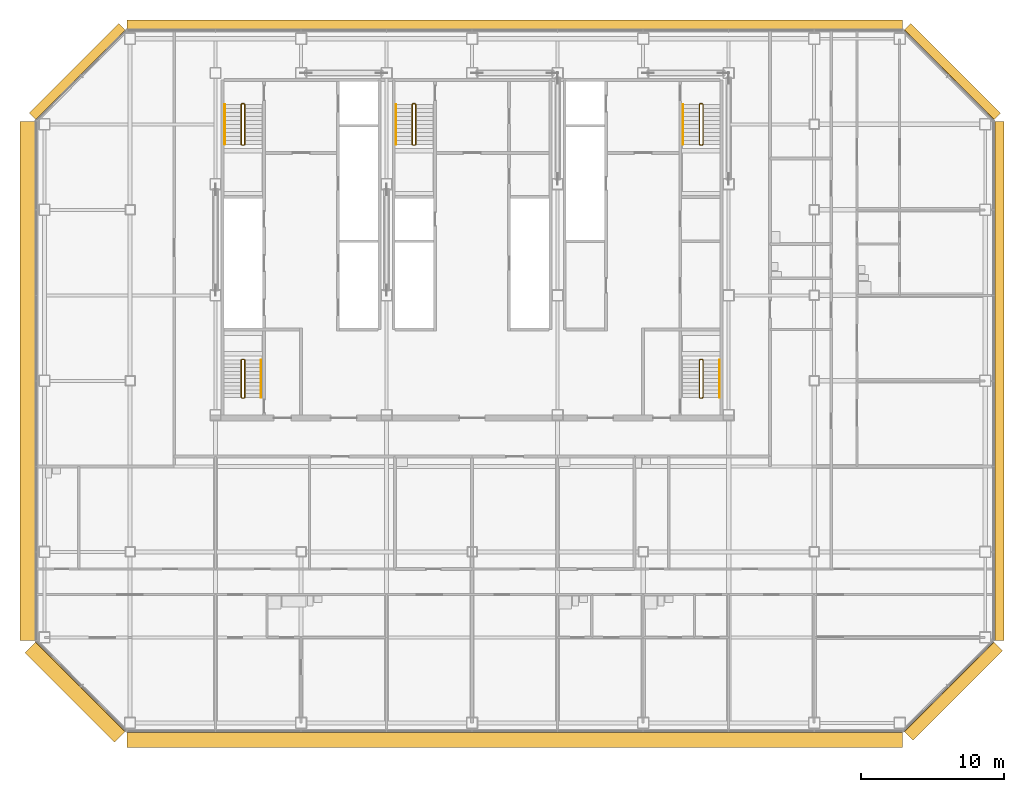
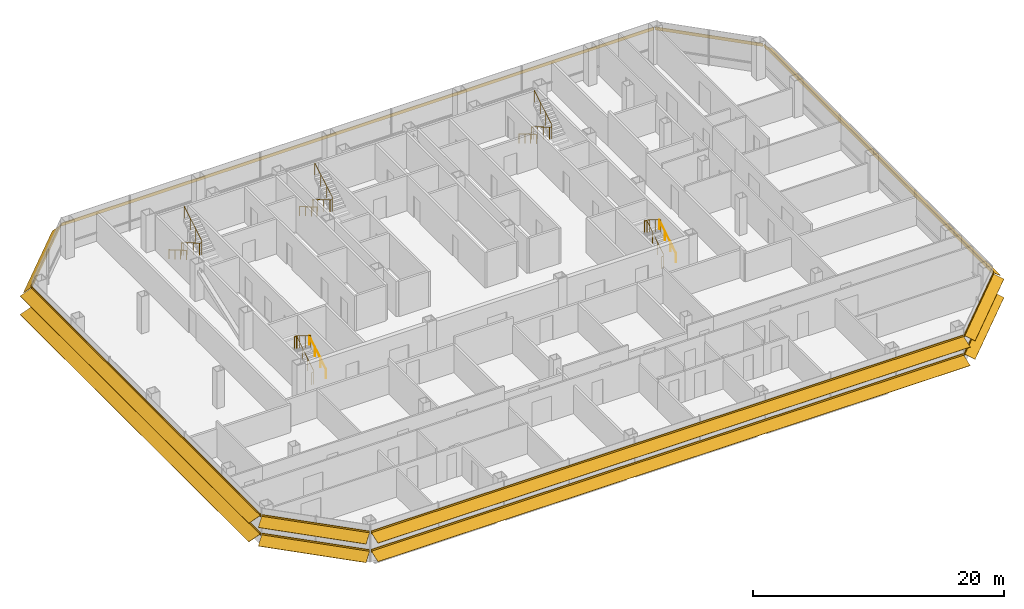
# One storey, part 24 of 25: 10 railings, 8 shading devices.
"""IFC4 building model written with IfcOpenShell, lengths in metres."""

from ifc_helpers import new_model, si_unit, direction, frame, origin, origin_2d, place, context, subcontext, project, spatial, polyline, circle, outline, composite_profile, extrude, material, type_object, element, save


model = new_model("IFC4")

# Units and contexts
model_context = context("Model", 3, precision=1e-05, world=origin(), true_north=direction((0.0, 1.0)))
body_context = subcontext(model_context, "Body", "Model", "MODEL_VIEW")
ifc_project = project(units=[si_unit("LENGTHUNIT", "METRE"), si_unit("AREAUNIT", "SQUARE_METRE"), si_unit("VOLUMEUNIT", "CUBIC_METRE"), si_unit("PLANEANGLEUNIT", "RADIAN"), si_unit("MASSUNIT", "GRAM", prefix="KILO")], contexts=[model_context])

# Site, building, storey
site_placement = place(None, origin())
site = spatial("IfcSite", under=ifc_project, at=site_placement, CompositionType="ELEMENT")
building_placement = place(site_placement, origin())
building = spatial("IfcBuilding", under=site, at=building_placement, Name="Sorahane Residences", CompositionType="ELEMENT")
storey_placement = place(building_placement, frame((0.0, 0.0, 119.60009765625)))
storey = spatial("IfcBuildingStorey", under=building, at=storey_placement, Name="L26", CompositionType="ELEMENT", Elevation=119.60009765625)

# Shading devices
ifc_material_1 = material(Name="Terracotta anodised aluminium", Category="masonry")
shading_device_type_1 = type_object("IfcShadingDeviceType", Name="Louvre sunshade blade E terracotta aluminium 700", PredefinedType="JALOUSIE", material=ifc_material_1)
shading_device_1_placement = place(storey_placement, frame((60.60009765625, 5.801513671875, 2.699951171875), z_axis=(0.0, 1.0, 0.0), x_axis=(-1.0, 0.0, 0.0)))
element("IfcShadingDevice", 1, at=shading_device_1_placement, inside=storey, type_object=shading_device_type_1, Name="Louvre sunshade blade bank E L26 E1", PredefinedType="JALOUSIE", context=body_context, shape_type="SweptSolid", body=[
    extrude(outline(polyline([(-0.719970703125, -0.49365234375), (-0.719970703125, -0.523681640625), (-0.080078125, -0.05859375), (-0.080078125, -0.14990234375), (-0.02001953125, -0.14990234375), (-0.02001953125, -0.014892578125), (-0.02001953125, 0.014892578125), (-0.02001953125, 0.14990234375), (-0.080078125, 0.14990234375), (-0.080078125, -0.028564453125), (-0.719970703125, -0.49365234375)])), origin(), (0.0, 0.0, 1.0), 36.39697265625),
])
ifc_material_2 = material(Name="Terracotta anodised aluminium", Category="masonry")
shading_device_type_2 = type_object("IfcShadingDeviceType", Name="Louvre sunshade blade N terracotta aluminium 700", PredefinedType="JALOUSIE", material=ifc_material_2)
shading_device_2_placement = place(storey_placement, frame((54.198486328125, 48.60009765625, 2.699951171875), z_axis=(-1.0, 0.0, 0.0), x_axis=(0.0, -1.0, 0.0)))
element("IfcShadingDevice", 2, at=shading_device_2_placement, inside=storey, type_object=shading_device_type_2, Name="Louvre sunshade blade bank N L26 N1", PredefinedType="JALOUSIE", context=body_context, shape_type="SweptSolid", body=[
    extrude(outline(polyline([(-0.719970703125, -0.660888671875), (-0.719970703125, -0.69091796875), (-0.080078125, -0.072998046875), (-0.080078125, -0.14990234375), (-0.02001953125, -0.14990234375), (-0.02001953125, -0.014892578125), (-0.02001953125, 0.014892578125), (-0.02001953125, 0.14990234375), (-0.080078125, 0.14990234375), (-0.080078125, -0.04296875), (-0.719970703125, -0.660888671875)])), origin(), (0.0, 0.0, 1.0), 54.39697265625),
])
ifc_material_3 = material(Name="Terracotta anodised aluminium", Category="masonry")
shading_device_type_3 = type_object("IfcShadingDeviceType", Name="Louvre sunshade blade NE terracotta aluminium 700", PredefinedType="JALOUSIE", material=ifc_material_3)
shading_device_3_placement = place(storey_placement, frame((60.564697265625, 42.283935546875, 2.699951171875), z_axis=(-0.707106781187, 0.707106781187, 0.0), x_axis=(-0.707106781187, -0.707106781187, 0.0)))
element("IfcShadingDevice", 3, at=shading_device_3_placement, inside=storey, type_object=shading_device_type_3, Name="Louvre sunshade blade bank NE L26 NE1", PredefinedType="JALOUSIE", context=body_context, shape_type="SweptSolid", body=[
    extrude(outline(polyline([(-0.719970703125, -0.572509765625), (-0.719970703125, -0.602294921875), (-0.080078125, -0.065185546875), (-0.080078125, -0.14990234375), (-0.02001953125, -0.14990234375), (-0.02001953125, -0.014892578125), (-0.02001953125, 0.014892578125), (-0.02001953125, 0.14990234375), (-0.080078125, 0.14990234375), (-0.080078125, -0.035400390625), (-0.719970703125, -0.572509765625)])), origin(), (0.0, 0.0, 1.0), 8.88232421875),
])
ifc_material_4 = material(Name="Terracotta anodised aluminium", Category="masonry")
shading_device_type_4 = type_object("IfcShadingDeviceType", Name="Louvre sunshade blade NW terracotta aluminium 700", PredefinedType="JALOUSIE", material=ifc_material_4)
shading_device_4_placement = place(storey_placement, frame((-0.283935546875, 48.564697265625, 2.699951171875), z_axis=(-0.707106781187, -0.707106781187, 0.0), x_axis=(0.707106781187, -0.707106781187, 0.0)))
element("IfcShadingDevice", 4, at=shading_device_4_placement, inside=storey, type_object=shading_device_type_4, Name="Louvre sunshade blade bank NW L26 NW1", PredefinedType="JALOUSIE", context=body_context, shape_type="SweptSolid", body=[
    extrude(outline(polyline([(-0.719970703125, -0.660888671875), (-0.719970703125, -0.69091796875), (-0.080078125, -0.072998046875), (-0.080078125, -0.14990234375), (-0.02001953125, -0.14990234375), (-0.02001953125, -0.014892578125), (-0.02001953125, 0.014892578125), (-0.02001953125, 0.14990234375), (-0.080078125, 0.14990234375), (-0.080078125, -0.04296875), (-0.719970703125, -0.660888671875)])), origin(), (0.0, 0.0, 1.0), 8.88232421875),
])
ifc_material_5 = material(Name="Terracotta anodised aluminium", Category="masonry")
shading_device_type_5 = type_object("IfcShadingDeviceType", Name="Louvre sunshade blade S terracotta aluminium 1100", PredefinedType="JALOUSIE", material=ifc_material_5)
shading_device_5_placement = place(storey_placement, frame((-0.198486328125, -0.60009765625, 0.89990234375), z_axis=(1.0, 0.0, 0.0), x_axis=(0.0, 1.0, 0.0)))
element("IfcShadingDevice", 5, at=shading_device_5_placement, inside=storey, type_object=shading_device_type_5, Name="Louvre sunshade blade bank S L26 S1", PredefinedType="JALOUSIE", context=body_context, shape_type="SweptSolid", body=[
    extrude(composite_profile([outline(polyline([(-1.1201171875, -0.385498046875), (-1.1201171875, -0.415283203125), (-0.080078125, -0.036865234375), (-0.080078125, -0.14990234375), (-0.02001953125, -0.14990234375), (-0.02001953125, -0.014892578125), (-0.02001953125, 0.014892578125), (-0.02001953125, 0.14990234375), (-0.080078125, 0.14990234375), (-0.080078125, -0.0068359375), (-1.1201171875, -0.385498046875)])), outline(polyline([(-1.1201171875, 1.41455078125), (-1.1201171875, 1.384521484375), (-0.080078125, 1.76318359375), (-0.080078125, 1.64990234375), (-0.02001953125, 1.64990234375), (-0.02001953125, 1.784912109375), (-0.02001953125, 1.81494140625), (-0.02001953125, 1.949951171875), (-0.080078125, 1.949951171875), (-0.080078125, 1.793212890625), (-1.1201171875, 1.41455078125)]))]), origin(), (0.0, 0.0, 1.0), 54.39697265625),
])
ifc_material_6 = material(Name="Terracotta anodised aluminium", Category="masonry")
shading_device_type_6 = type_object("IfcShadingDeviceType", Name="Louvre sunshade blade SE terracotta aluminium 900", PredefinedType="JALOUSIE", material=ifc_material_6)
shading_device_6_placement = place(storey_placement, frame((54.283935546875, -0.564697265625, 0.89990234375), z_axis=(0.707106781187, 0.707106781187, 0.0), x_axis=(-0.707106781187, 0.707106781187, 0.0)))
element("IfcShadingDevice", 6, at=shading_device_6_placement, inside=storey, type_object=shading_device_type_6, Name="Louvre sunshade blade bank SE L26 SE1", PredefinedType="JALOUSIE", context=body_context, shape_type="SweptSolid", body=[
    extrude(composite_profile([outline(polyline([(-0.919921875, -0.3486328125), (-0.919921875, -0.378662109375), (-0.080078125, -0.039306640625), (-0.080078125, -0.14990234375), (-0.02001953125, -0.14990234375), (-0.02001953125, -0.014892578125), (-0.02001953125, 0.014892578125), (-0.02001953125, 0.14990234375), (-0.080078125, 0.14990234375), (-0.080078125, -0.00927734375), (-0.919921875, -0.3486328125)])), outline(polyline([(-0.919921875, 1.451416015625), (-0.919921875, 1.42138671875), (-0.080078125, 1.7607421875), (-0.080078125, 1.64990234375), (-0.02001953125, 1.64990234375), (-0.02001953125, 1.784912109375), (-0.02001953125, 1.81494140625), (-0.02001953125, 1.949951171875), (-0.080078125, 1.949951171875), (-0.080078125, 1.790771484375), (-0.919921875, 1.451416015625)]))]), origin(), (0.0, 0.0, 1.0), 8.88232421875),
])
ifc_material_7 = material(Name="Terracotta anodised aluminium", Category="masonry")
shading_device_type_7 = type_object("IfcShadingDeviceType", Name="Louvre sunshade blade SW terracotta aluminium 1100", PredefinedType="JALOUSIE", material=ifc_material_7)
shading_device_7_placement = place(storey_placement, frame((-6.564697265625, 5.716064453125, 0.89990234375), z_axis=(0.707106781187, -0.707106781187, 0.0), x_axis=(0.707106781187, 0.707106781187, 0.0)))
element("IfcShadingDevice", 7, at=shading_device_7_placement, inside=storey, type_object=shading_device_type_7, Name="Louvre sunshade blade bank SW L26 SW1", PredefinedType="JALOUSIE", context=body_context, shape_type="SweptSolid", body=[
    extrude(composite_profile([outline(polyline([(-1.1201171875, -0.385498046875), (-1.1201171875, -0.415283203125), (-0.080078125, -0.036865234375), (-0.080078125, -0.14990234375), (-0.02001953125, -0.14990234375), (-0.02001953125, -0.014892578125), (-0.02001953125, 0.014892578125), (-0.02001953125, 0.14990234375), (-0.080078125, 0.14990234375), (-0.080078125, -0.0068359375), (-1.1201171875, -0.385498046875)])), outline(polyline([(-1.1201171875, 1.41455078125), (-1.1201171875, 1.384521484375), (-0.080078125, 1.76318359375), (-0.080078125, 1.64990234375), (-0.02001953125, 1.64990234375), (-0.02001953125, 1.784912109375), (-0.02001953125, 1.81494140625), (-0.02001953125, 1.949951171875), (-0.080078125, 1.949951171875), (-0.080078125, 1.793212890625), (-1.1201171875, 1.41455078125)]))]), origin(), (0.0, 0.0, 1.0), 8.88232421875),
])
ifc_material_8 = material(Name="Terracotta anodised aluminium", Category="masonry")
shading_device_type_8 = type_object("IfcShadingDeviceType", Name="Louvre sunshade blade W terracotta aluminium 1100", PredefinedType="JALOUSIE", material=ifc_material_8)
shading_device_8_placement = place(storey_placement, frame((-6.60009765625, 42.198486328125, 0.89990234375), z_axis=(0.0, -1.0, 0.0), x_axis=(1.0, 0.0, 0.0)))
element("IfcShadingDevice", 8, at=shading_device_8_placement, inside=storey, type_object=shading_device_type_8, Name="Louvre sunshade blade bank W L26 W1", PredefinedType="JALOUSIE", context=body_context, shape_type="SweptSolid", body=[
    extrude(composite_profile([outline(polyline([(-1.1201171875, -0.385498046875), (-1.1201171875, -0.415283203125), (-0.080078125, -0.036865234375), (-0.080078125, -0.14990234375), (-0.02001953125, -0.14990234375), (-0.02001953125, -0.014892578125), (-0.02001953125, 0.014892578125), (-0.02001953125, 0.14990234375), (-0.080078125, 0.14990234375), (-0.080078125, -0.0068359375), (-1.1201171875, -0.385498046875)])), outline(polyline([(-1.1201171875, 1.41455078125), (-1.1201171875, 1.384521484375), (-0.080078125, 1.76318359375), (-0.080078125, 1.64990234375), (-0.02001953125, 1.64990234375), (-0.02001953125, 1.784912109375), (-0.02001953125, 1.81494140625), (-0.02001953125, 1.949951171875), (-0.080078125, 1.949951171875), (-0.080078125, 1.793212890625), (-1.1201171875, 1.41455078125)]))]), origin(), (0.0, 0.0, 1.0), 36.39697265625),
])

# Railings
ifc_material_9 = material(Name="Steel Q355B", Category="steel")
railing_type_1 = type_object("IfcRailingType", Name="Stair guard 1200 Steel Q355B", PredefinedType="GUARDRAIL", material=ifc_material_9)
railing_1_placement = place(storey_placement, frame((8.0, 43.449951171875, 0.0)))
element("IfcRailing", 9, at=railing_1_placement, inside=storey, type_object=railing_type_1, Name="L26 S1 stair guard 1", PredefinedType="GUARDRAIL", context=body_context, shape_type="SweptSolid", body=[
    extrude(circle(Radius=0.02392578125, at=origin_2d()), frame((0.0, 0.0, 1.17578125), z_axis=(-1.0, 0.0, 0.0), x_axis=(0.0, -1.0, 0.0)), (0.0, 0.0, 1.0), 0.14990234375),
    extrude(circle(Radius=0.02392578125, at=origin_2d()), frame((-0.14990234375, 0.0, 1.17578125), z_axis=(-0.280808744504, -0.280808744504, 0.917765164963), x_axis=(0.707106781187, -0.707106781187, 0.0)), (0.0, 0.0, 1.0), 0.17822265625),
    extrude(circle(Radius=0.02392578125, at=origin_2d()), frame((-0.199951171875, -0.050048828125, 1.33935546875), z_axis=(0.0, -0.863374499697, 0.504563646405), x_axis=(1.0, 0.0, 0.0)), (0.0, 0.0, 1.0), 3.242919921875),
    extrude(circle(Radius=0.02392578125, at=origin_2d()), frame((-0.199951171875, -2.849853515625, 2.9755859375), z_axis=(0.707106781187, -0.707106781187, 0.0), x_axis=(0.707106781187, 0.707106781187, 0.0)), (0.0, 0.0, 1.0), 0.07080078125),
    extrude(circle(Radius=0.02392578125, at=origin_2d()), frame((-0.14990234375, -2.89990234375, 2.9755859375), z_axis=(1.0, 0.0, 0.0), x_axis=(0.0, 1.0, 0.0)), (0.0, 0.0, 1.0), 0.14990234375),
    extrude(circle(Radius=0.02392578125, at=origin_2d()), frame((0.0, -2.89990234375, 2.9755859375), z_axis=(0.280456126637, 0.280456126637, 0.917980785237), x_axis=(-0.707106781187, 0.707106781187, 0.0)), (0.0, 0.0, 1.0), 0.178466796875),
    extrude(circle(Radius=0.02392578125, at=origin_2d()), frame((0.050048828125, -2.849853515625, 3.1396484375), z_axis=(0.0, 0.863374499697, 0.504563646405), x_axis=(-1.0, 0.0, 0.0)), (0.0, 0.0, 1.0), 3.242919921875),
    extrude(circle(Radius=0.02099609375, at=origin_2d()), origin(), (0.0, 0.0, 1.0), 1.15185546875),
    extrude(circle(Radius=0.02099609375, at=origin_2d()), frame((-0.14990234375, 0.0, 0.0)), (0.0, 0.0, 1.0), 1.15185546875),
    extrude(circle(Radius=0.02099609375, at=origin_2d()), frame((-0.199951171875, -0.050048828125, 0.16357421875)), (0.0, 0.0, 1.0), 1.15185546875),
    extrude(circle(Radius=0.02099609375, at=origin_2d()), frame((-0.199951171875, -0.9833984375, 0.708984375)), (0.0, 0.0, 1.0), 1.15185546875),
    extrude(circle(Radius=0.02099609375, at=origin_2d()), frame((-0.199951171875, -1.91650390625, 1.25439453125)), (0.0, 0.0, 1.0), 1.15185546875),
    extrude(circle(Radius=0.02099609375, at=origin_2d()), frame((-0.199951171875, -2.849853515625, 1.7998046875)), (0.0, 0.0, 1.0), 1.15185546875),
    extrude(circle(Radius=0.02099609375, at=origin_2d()), frame((-0.14990234375, -2.89990234375, 1.7998046875)), (0.0, 0.0, 1.0), 1.15185546875),
    extrude(circle(Radius=0.02099609375, at=origin_2d()), frame((0.0, -2.89990234375, 1.7998046875)), (0.0, 0.0, 1.0), 1.15185546875),
    extrude(circle(Radius=0.02099609375, at=origin_2d()), frame((0.050048828125, -2.849853515625, 1.963623046875)), (0.0, 0.0, 1.0), 1.15185546875),
    extrude(circle(Radius=0.02099609375, at=origin_2d()), frame((0.050048828125, -1.91650390625, 2.509033203125)), (0.0, 0.0, 1.0), 1.15185546875),
    extrude(circle(Radius=0.02099609375, at=origin_2d()), frame((0.050048828125, -0.9833984375, 3.054443359375)), (0.0, 0.0, 1.0), 1.15185546875),
    extrude(circle(Radius=0.02099609375, at=origin_2d()), frame((0.050048828125, -0.050048828125, 3.599853515625)), (0.0, 0.0, 1.0), 1.15185546875),
])
railing_2_placement = place(storey_placement, frame((40.14990234375, 43.449951171875, 0.0)))
element("IfcRailing", 10, at=railing_2_placement, inside=storey, type_object=railing_type_1, Name="L26 S2 stair guard 1", PredefinedType="GUARDRAIL", context=body_context, shape_type="SweptSolid", body=[
    extrude(circle(Radius=0.02392578125, at=origin_2d()), frame((0.0, 0.0, 1.17578125), z_axis=(-1.0, 0.0, 0.0), x_axis=(0.0, -1.0, 0.0)), (0.0, 0.0, 1.0), 0.14990234375),
    extrude(circle(Radius=0.02392578125, at=origin_2d()), frame((-0.14990234375, 0.0, 1.17578125), z_axis=(-0.280808744504, -0.280808744504, 0.917765164963), x_axis=(0.707106781187, -0.707106781187, 0.0)), (0.0, 0.0, 1.0), 0.17822265625),
    extrude(circle(Radius=0.02392578125, at=origin_2d()), frame((-0.199951171875, -0.050048828125, 1.33935546875), z_axis=(0.0, -0.863374499697, 0.504563646405), x_axis=(1.0, 0.0, 0.0)), (0.0, 0.0, 1.0), 3.242919921875),
    extrude(circle(Radius=0.02392578125, at=origin_2d()), frame((-0.199951171875, -2.849853515625, 2.9755859375), z_axis=(0.707106781187, -0.707106781187, 0.0), x_axis=(0.707106781187, 0.707106781187, 0.0)), (0.0, 0.0, 1.0), 0.07080078125),
    extrude(circle(Radius=0.02392578125, at=origin_2d()), frame((-0.14990234375, -2.89990234375, 2.9755859375), z_axis=(1.0, 0.0, 0.0), x_axis=(0.0, 1.0, 0.0)), (0.0, 0.0, 1.0), 0.14990234375),
    extrude(circle(Radius=0.02392578125, at=origin_2d()), frame((0.0, -2.89990234375, 2.9755859375), z_axis=(0.280456126637, 0.280456126637, 0.917980785237), x_axis=(-0.707106781187, 0.707106781187, 0.0)), (0.0, 0.0, 1.0), 0.178466796875),
    extrude(circle(Radius=0.02392578125, at=origin_2d()), frame((0.050048828125, -2.849853515625, 3.1396484375), z_axis=(0.0, 0.863374499697, 0.504563646405), x_axis=(-1.0, 0.0, 0.0)), (0.0, 0.0, 1.0), 3.242919921875),
    extrude(circle(Radius=0.02099609375, at=origin_2d()), origin(), (0.0, 0.0, 1.0), 1.15185546875),
    extrude(circle(Radius=0.02099609375, at=origin_2d()), frame((-0.14990234375, 0.0, 0.0)), (0.0, 0.0, 1.0), 1.15185546875),
    extrude(circle(Radius=0.02099609375, at=origin_2d()), frame((-0.199951171875, -0.050048828125, 0.16357421875)), (0.0, 0.0, 1.0), 1.15185546875),
    extrude(circle(Radius=0.02099609375, at=origin_2d()), frame((-0.199951171875, -0.9833984375, 0.708984375)), (0.0, 0.0, 1.0), 1.15185546875),
    extrude(circle(Radius=0.02099609375, at=origin_2d()), frame((-0.199951171875, -1.91650390625, 1.25439453125)), (0.0, 0.0, 1.0), 1.15185546875),
    extrude(circle(Radius=0.02099609375, at=origin_2d()), frame((-0.199951171875, -2.849853515625, 1.7998046875)), (0.0, 0.0, 1.0), 1.15185546875),
    extrude(circle(Radius=0.02099609375, at=origin_2d()), frame((-0.14990234375, -2.89990234375, 1.7998046875)), (0.0, 0.0, 1.0), 1.15185546875),
    extrude(circle(Radius=0.02099609375, at=origin_2d()), frame((0.0, -2.89990234375, 1.7998046875)), (0.0, 0.0, 1.0), 1.15185546875),
    extrude(circle(Radius=0.02099609375, at=origin_2d()), frame((0.050048828125, -2.849853515625, 1.963623046875)), (0.0, 0.0, 1.0), 1.15185546875),
    extrude(circle(Radius=0.02099609375, at=origin_2d()), frame((0.050048828125, -1.91650390625, 2.509033203125)), (0.0, 0.0, 1.0), 1.15185546875),
    extrude(circle(Radius=0.02099609375, at=origin_2d()), frame((0.050048828125, -0.9833984375, 3.054443359375)), (0.0, 0.0, 1.0), 1.15185546875),
    extrude(circle(Radius=0.02099609375, at=origin_2d()), frame((0.050048828125, -0.050048828125, 3.599853515625)), (0.0, 0.0, 1.0), 1.15185546875),
])
railing_3_placement = place(storey_placement, frame((20.0, 43.449951171875, 0.0)))
element("IfcRailing", 11, at=railing_3_placement, inside=storey, type_object=railing_type_1, Name="L26 S3 stair guard 1", PredefinedType="GUARDRAIL", context=body_context, shape_type="SweptSolid", body=[
    extrude(circle(Radius=0.02392578125, at=origin_2d()), frame((0.0, 0.0, 1.17578125), z_axis=(-1.0, 0.0, 0.0), x_axis=(0.0, -1.0, 0.0)), (0.0, 0.0, 1.0), 0.14990234375),
    extrude(circle(Radius=0.02392578125, at=origin_2d()), frame((-0.14990234375, 0.0, 1.17578125), z_axis=(-0.280808744504, -0.280808744504, 0.917765164963), x_axis=(0.707106781187, -0.707106781187, 0.0)), (0.0, 0.0, 1.0), 0.17822265625),
    extrude(circle(Radius=0.02392578125, at=origin_2d()), frame((-0.199951171875, -0.050048828125, 1.33935546875), z_axis=(0.0, -0.863374499697, 0.504563646405), x_axis=(1.0, 0.0, 0.0)), (0.0, 0.0, 1.0), 3.242919921875),
    extrude(circle(Radius=0.02392578125, at=origin_2d()), frame((-0.199951171875, -2.849853515625, 2.9755859375), z_axis=(0.707106781187, -0.707106781187, 0.0), x_axis=(0.707106781187, 0.707106781187, 0.0)), (0.0, 0.0, 1.0), 0.07080078125),
    extrude(circle(Radius=0.02392578125, at=origin_2d()), frame((-0.14990234375, -2.89990234375, 2.9755859375), z_axis=(1.0, 0.0, 0.0), x_axis=(0.0, 1.0, 0.0)), (0.0, 0.0, 1.0), 0.14990234375),
    extrude(circle(Radius=0.02392578125, at=origin_2d()), frame((0.0, -2.89990234375, 2.9755859375), z_axis=(0.280456126637, 0.280456126637, 0.917980785237), x_axis=(-0.707106781187, 0.707106781187, 0.0)), (0.0, 0.0, 1.0), 0.178466796875),
    extrude(circle(Radius=0.02392578125, at=origin_2d()), frame((0.050048828125, -2.849853515625, 3.1396484375), z_axis=(0.0, 0.863374499697, 0.504563646405), x_axis=(-1.0, 0.0, 0.0)), (0.0, 0.0, 1.0), 3.242919921875),
    extrude(circle(Radius=0.02099609375, at=origin_2d()), origin(), (0.0, 0.0, 1.0), 1.15185546875),
    extrude(circle(Radius=0.02099609375, at=origin_2d()), frame((-0.14990234375, 0.0, 0.0)), (0.0, 0.0, 1.0), 1.15185546875),
    extrude(circle(Radius=0.02099609375, at=origin_2d()), frame((-0.199951171875, -0.050048828125, 0.16357421875)), (0.0, 0.0, 1.0), 1.15185546875),
    extrude(circle(Radius=0.02099609375, at=origin_2d()), frame((-0.199951171875, -0.9833984375, 0.708984375)), (0.0, 0.0, 1.0), 1.15185546875),
    extrude(circle(Radius=0.02099609375, at=origin_2d()), frame((-0.199951171875, -1.91650390625, 1.25439453125)), (0.0, 0.0, 1.0), 1.15185546875),
    extrude(circle(Radius=0.02099609375, at=origin_2d()), frame((-0.199951171875, -2.849853515625, 1.7998046875)), (0.0, 0.0, 1.0), 1.15185546875),
    extrude(circle(Radius=0.02099609375, at=origin_2d()), frame((-0.14990234375, -2.89990234375, 1.7998046875)), (0.0, 0.0, 1.0), 1.15185546875),
    extrude(circle(Radius=0.02099609375, at=origin_2d()), frame((0.0, -2.89990234375, 1.7998046875)), (0.0, 0.0, 1.0), 1.15185546875),
    extrude(circle(Radius=0.02099609375, at=origin_2d()), frame((0.050048828125, -2.849853515625, 1.963623046875)), (0.0, 0.0, 1.0), 1.15185546875),
    extrude(circle(Radius=0.02099609375, at=origin_2d()), frame((0.050048828125, -1.91650390625, 2.509033203125)), (0.0, 0.0, 1.0), 1.15185546875),
    extrude(circle(Radius=0.02099609375, at=origin_2d()), frame((0.050048828125, -0.9833984375, 3.054443359375)), (0.0, 0.0, 1.0), 1.15185546875),
    extrude(circle(Radius=0.02099609375, at=origin_2d()), frame((0.050048828125, -0.050048828125, 3.599853515625)), (0.0, 0.0, 1.0), 1.15185546875),
])
railing_4_placement = place(storey_placement, frame((7.85009765625, 22.800048828125, 0.0)))
element("IfcRailing", 12, at=railing_4_placement, inside=storey, type_object=railing_type_1, Name="L26 S4 stair guard 1", PredefinedType="GUARDRAIL", context=body_context, shape_type="SweptSolid", body=[
    extrude(circle(Radius=0.02392578125, at=origin_2d()), frame((0.0, 0.0, 1.17578125), z_axis=(1.0, 0.0, 0.0), x_axis=(0.0, 1.0, 0.0)), (0.0, 0.0, 1.0), 0.14990234375),
    extrude(circle(Radius=0.02392578125, at=origin_2d()), frame((0.14990234375, 0.0, 1.17578125), z_axis=(0.280808744504, 0.280808744504, 0.917765164963), x_axis=(-0.707106781187, 0.707106781187, 0.0)), (0.0, 0.0, 1.0), 0.17822265625),
    extrude(circle(Radius=0.02392578125, at=origin_2d()), frame((0.199951171875, 0.050048828125, 1.33935546875), z_axis=(0.0, 0.846337672412, 0.532646734952), x_axis=(-1.0, 0.0, 0.0)), (0.0, 0.0, 1.0), 3.07177734375),
    extrude(circle(Radius=0.02392578125, at=origin_2d()), frame((0.199951171875, 2.64990234375, 2.9755859375), z_axis=(-0.707106781187, 0.707106781187, 0.0), x_axis=(-0.707106781187, -0.707106781187, 0.0)), (0.0, 0.0, 1.0), 0.07080078125),
    extrude(circle(Radius=0.02392578125, at=origin_2d()), frame((0.14990234375, 2.699951171875, 2.9755859375), z_axis=(-1.0, 0.0, 0.0), x_axis=(0.0, -1.0, 0.0)), (0.0, 0.0, 1.0), 0.14990234375),
    extrude(circle(Radius=0.02392578125, at=origin_2d()), frame((0.0, 2.699951171875, 2.9755859375), z_axis=(-0.280456126637, -0.280456126637, 0.917980785237), x_axis=(0.707106781187, -0.707106781187, 0.0)), (0.0, 0.0, 1.0), 0.178466796875),
    extrude(circle(Radius=0.02392578125, at=origin_2d()), frame((-0.050048828125, 2.64990234375, 3.1396484375), z_axis=(0.0, -0.846337672412, 0.532646734952), x_axis=(1.0, 0.0, 0.0)), (0.0, 0.0, 1.0), 3.07177734375),
    extrude(circle(Radius=0.02099609375, at=origin_2d()), origin(), (0.0, 0.0, 1.0), 1.15185546875),
    extrude(circle(Radius=0.02099609375, at=origin_2d()), frame((0.14990234375, 0.0, 0.0)), (0.0, 0.0, 1.0), 1.15185546875),
    extrude(circle(Radius=0.02099609375, at=origin_2d()), frame((0.199951171875, 0.050048828125, 0.16357421875)), (0.0, 0.0, 1.0), 1.15185546875),
    extrude(circle(Radius=0.02099609375, at=origin_2d()), frame((0.199951171875, 0.916748046875, 0.708984375)), (0.0, 0.0, 1.0), 1.15185546875),
    extrude(circle(Radius=0.02099609375, at=origin_2d()), frame((0.199951171875, 1.783203125, 1.25439453125)), (0.0, 0.0, 1.0), 1.15185546875),
    extrude(circle(Radius=0.02099609375, at=origin_2d()), frame((0.199951171875, 2.64990234375, 1.7998046875)), (0.0, 0.0, 1.0), 1.15185546875),
    extrude(circle(Radius=0.02099609375, at=origin_2d()), frame((0.14990234375, 2.699951171875, 1.7998046875)), (0.0, 0.0, 1.0), 1.15185546875),
    extrude(circle(Radius=0.02099609375, at=origin_2d()), frame((0.0, 2.699951171875, 1.7998046875)), (0.0, 0.0, 1.0), 1.15185546875),
    extrude(circle(Radius=0.02099609375, at=origin_2d()), frame((-0.050048828125, 2.64990234375, 1.963623046875)), (0.0, 0.0, 1.0), 1.15185546875),
    extrude(circle(Radius=0.02099609375, at=origin_2d()), frame((-0.050048828125, 1.783203125, 2.509033203125)), (0.0, 0.0, 1.0), 1.15185546875),
    extrude(circle(Radius=0.02099609375, at=origin_2d()), frame((-0.050048828125, 0.916748046875, 3.054443359375)), (0.0, 0.0, 1.0), 1.15185546875),
    extrude(circle(Radius=0.02099609375, at=origin_2d()), frame((-0.050048828125, 0.050048828125, 3.599853515625)), (0.0, 0.0, 1.0), 1.15185546875),
])
railing_5_placement = place(storey_placement, frame((40.0, 22.800048828125, 0.0)))
element("IfcRailing", 13, at=railing_5_placement, inside=storey, type_object=railing_type_1, Name="L26 S5 stair guard 1", PredefinedType="GUARDRAIL", context=body_context, shape_type="SweptSolid", body=[
    extrude(circle(Radius=0.02392578125, at=origin_2d()), frame((0.0, 0.0, 1.17578125), z_axis=(1.0, 0.0, 0.0), x_axis=(0.0, 1.0, 0.0)), (0.0, 0.0, 1.0), 0.14990234375),
    extrude(circle(Radius=0.02392578125, at=origin_2d()), frame((0.14990234375, 0.0, 1.17578125), z_axis=(0.280808744504, 0.280808744504, 0.917765164963), x_axis=(-0.707106781187, 0.707106781187, 0.0)), (0.0, 0.0, 1.0), 0.17822265625),
    extrude(circle(Radius=0.02392578125, at=origin_2d()), frame((0.199951171875, 0.050048828125, 1.33935546875), z_axis=(0.0, 0.846337672412, 0.532646734952), x_axis=(-1.0, 0.0, 0.0)), (0.0, 0.0, 1.0), 3.07177734375),
    extrude(circle(Radius=0.02392578125, at=origin_2d()), frame((0.199951171875, 2.64990234375, 2.9755859375), z_axis=(-0.707106781187, 0.707106781187, 0.0), x_axis=(-0.707106781187, -0.707106781187, 0.0)), (0.0, 0.0, 1.0), 0.07080078125),
    extrude(circle(Radius=0.02392578125, at=origin_2d()), frame((0.14990234375, 2.699951171875, 2.9755859375), z_axis=(-1.0, 0.0, 0.0), x_axis=(0.0, -1.0, 0.0)), (0.0, 0.0, 1.0), 0.14990234375),
    extrude(circle(Radius=0.02392578125, at=origin_2d()), frame((0.0, 2.699951171875, 2.9755859375), z_axis=(-0.280456126637, -0.280456126637, 0.917980785237), x_axis=(0.707106781187, -0.707106781187, 0.0)), (0.0, 0.0, 1.0), 0.178466796875),
    extrude(circle(Radius=0.02392578125, at=origin_2d()), frame((-0.050048828125, 2.64990234375, 3.1396484375), z_axis=(0.0, -0.846337672412, 0.532646734952), x_axis=(1.0, 0.0, 0.0)), (0.0, 0.0, 1.0), 3.07177734375),
    extrude(circle(Radius=0.02099609375, at=origin_2d()), origin(), (0.0, 0.0, 1.0), 1.15185546875),
    extrude(circle(Radius=0.02099609375, at=origin_2d()), frame((0.14990234375, 0.0, 0.0)), (0.0, 0.0, 1.0), 1.15185546875),
    extrude(circle(Radius=0.02099609375, at=origin_2d()), frame((0.199951171875, 0.050048828125, 0.16357421875)), (0.0, 0.0, 1.0), 1.15185546875),
    extrude(circle(Radius=0.02099609375, at=origin_2d()), frame((0.199951171875, 0.916748046875, 0.708984375)), (0.0, 0.0, 1.0), 1.15185546875),
    extrude(circle(Radius=0.02099609375, at=origin_2d()), frame((0.199951171875, 1.783203125, 1.25439453125)), (0.0, 0.0, 1.0), 1.15185546875),
    extrude(circle(Radius=0.02099609375, at=origin_2d()), frame((0.199951171875, 2.64990234375, 1.7998046875)), (0.0, 0.0, 1.0), 1.15185546875),
    extrude(circle(Radius=0.02099609375, at=origin_2d()), frame((0.14990234375, 2.699951171875, 1.7998046875)), (0.0, 0.0, 1.0), 1.15185546875),
    extrude(circle(Radius=0.02099609375, at=origin_2d()), frame((0.0, 2.699951171875, 1.7998046875)), (0.0, 0.0, 1.0), 1.15185546875),
    extrude(circle(Radius=0.02099609375, at=origin_2d()), frame((-0.050048828125, 2.64990234375, 1.963623046875)), (0.0, 0.0, 1.0), 1.15185546875),
    extrude(circle(Radius=0.02099609375, at=origin_2d()), frame((-0.050048828125, 1.783203125, 2.509033203125)), (0.0, 0.0, 1.0), 1.15185546875),
    extrude(circle(Radius=0.02099609375, at=origin_2d()), frame((-0.050048828125, 0.916748046875, 3.054443359375)), (0.0, 0.0, 1.0), 1.15185546875),
    extrude(circle(Radius=0.02099609375, at=origin_2d()), frame((-0.050048828125, 0.050048828125, 3.599853515625)), (0.0, 0.0, 1.0), 1.15185546875),
])
ifc_material_10 = material(Name="Steel Q355B", Category="steel")
railing_type_2 = type_object("IfcRailingType", Name="Stair handrail 900 Steel Q355B", PredefinedType="HANDRAIL", material=ifc_material_10)
for number, where, name in (
    (14, (6.64990234375, 43.39990234375, 0.16357421875), "L26 S1 stair handrail 1"),
    (15, (38.800048828125, 43.39990234375, 0.16357421875), "L26 S2 stair handrail 1"),
    (16, (18.64990234375, 43.39990234375, 0.16357421875), "L26 S3 stair handrail 1"),
):
    element("IfcRailing", number, at=place(storey_placement, frame(where)), inside=storey, type_object=railing_type_2, Name=name, PredefinedType="HANDRAIL", context=body_context, shape_type="SweptSolid", body=[
        extrude(circle(Radius=0.02392578125, at=origin_2d()), frame((0.0, 0.0, 0.8759765625), z_axis=(0.0, -0.863374499697, 0.504563646405), x_axis=(1.0, 0.0, 0.0)), (0.0, 0.0, 1.0), 3.242919921875),
        extrude(circle(Radius=0.02099609375, at=origin_2d()), origin(), (0.0, 0.0, 1.0), 0.851806640625),
        extrude(circle(Radius=0.02099609375, at=origin_2d()), frame((0.0, -0.933349609375, 0.54541015625)), (0.0, 0.0, 1.0), 0.851806640625),
        extrude(circle(Radius=0.02099609375, at=origin_2d()), frame((0.0, -1.866455078125, 1.0908203125)), (0.0, 0.0, 1.0), 0.851806640625),
        extrude(circle(Radius=0.02099609375, at=origin_2d()), frame((0.0, -2.7998046875, 1.63623046875)), (0.0, 0.0, 1.0), 0.851806640625),
    ])
for number, where, name in (
    (17, (9.199951171875, 22.85009765625, 0.16357421875), "L26 S4 stair handrail 1"),
    (18, (41.35009765625, 22.85009765625, 0.16357421875), "L26 S5 stair handrail 1"),
):
    element("IfcRailing", number, at=place(storey_placement, frame(where)), inside=storey, type_object=railing_type_2, Name=name, PredefinedType="HANDRAIL", context=body_context, shape_type="SweptSolid", body=[
        extrude(circle(Radius=0.02392578125, at=origin_2d()), frame((0.0, 0.0, 0.8759765625), z_axis=(0.0, 0.846337672412, 0.532646734952), x_axis=(-1.0, 0.0, 0.0)), (0.0, 0.0, 1.0), 3.07177734375),
        extrude(circle(Radius=0.02099609375, at=origin_2d()), origin(), (0.0, 0.0, 1.0), 0.851806640625),
        extrude(circle(Radius=0.02099609375, at=origin_2d()), frame((0.0, 0.86669921875, 0.54541015625)), (0.0, 0.0, 1.0), 0.851806640625),
        extrude(circle(Radius=0.02099609375, at=origin_2d()), frame((0.0, 1.733154296875, 1.0908203125)), (0.0, 0.0, 1.0), 0.851806640625),
        extrude(circle(Radius=0.02099609375, at=origin_2d()), frame((0.0, 2.599853515625, 1.63623046875)), (0.0, 0.0, 1.0), 0.851806640625),
    ])

save(model, "model.ifc")
